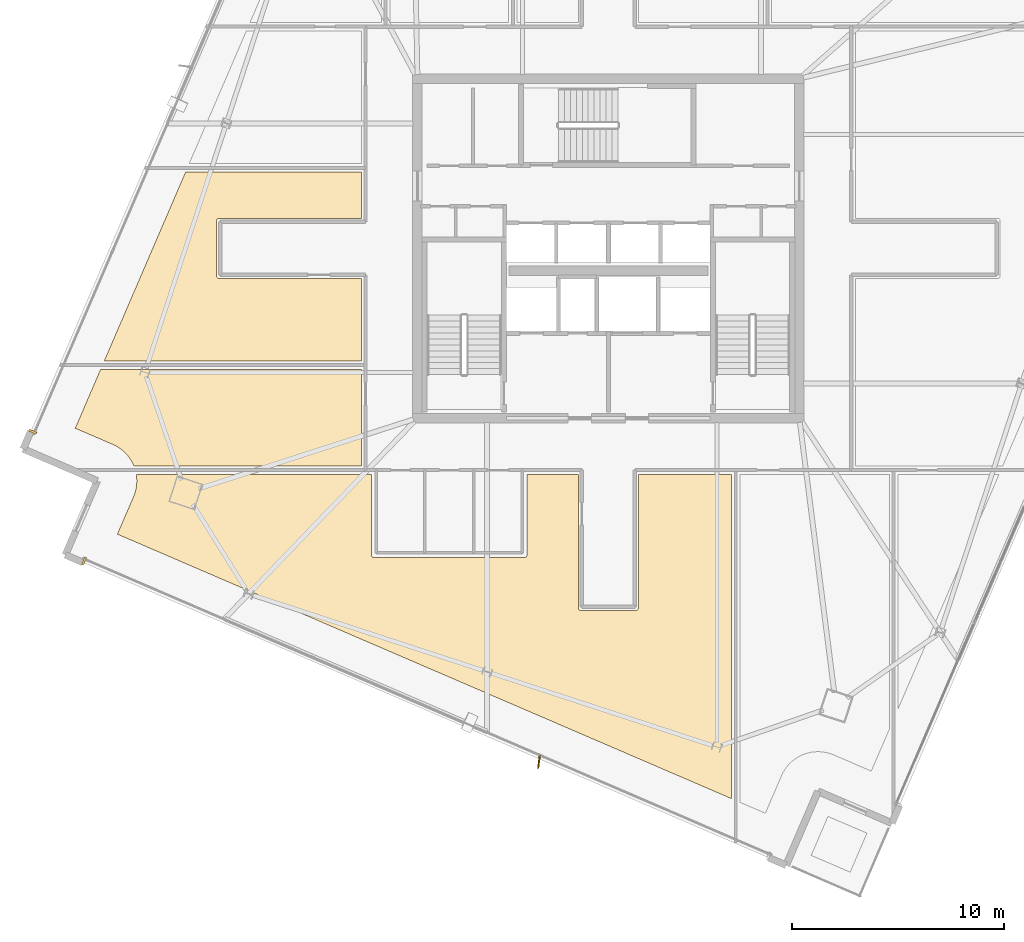
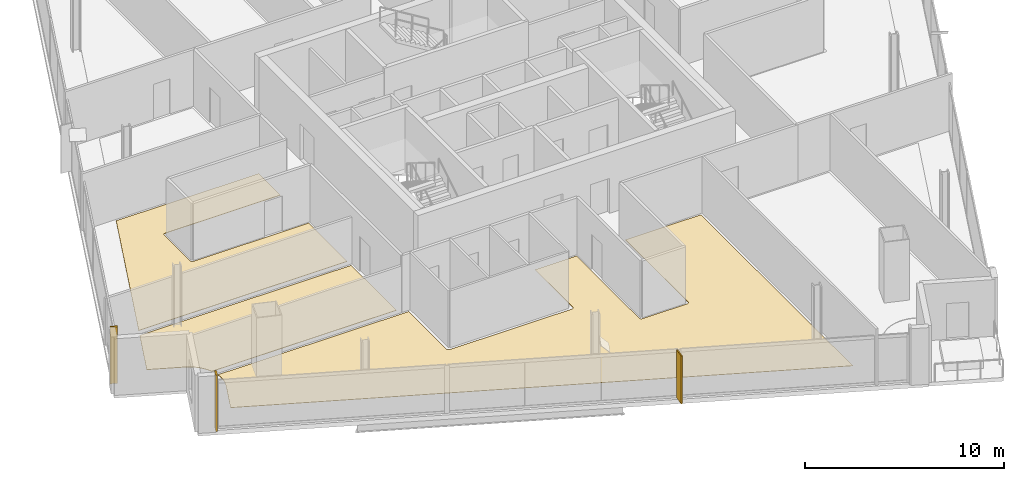
# One storey, part 24 of 28: 5 coverings, 1 shading device.
"""IFC4 building model written with IfcOpenShell, lengths in metres."""

from ifc_helpers import new_model, si_unit, direction, frame, origin, origin_2d, place, context, subcontext, project, spatial, polyline, rectangle, outline, extrude, source, transform, mapped, material, layer, layer_set, type_object, element, save


model = new_model("IFC4")

# Units and contexts
model_context = context("Model", 3, precision=1e-05, world=origin(), true_north=direction((0.0, 1.0)))
body_context = subcontext(model_context, "Body", "Model", "MODEL_VIEW")
ifc_project = project(units=[si_unit("LENGTHUNIT", "METRE"), si_unit("AREAUNIT", "SQUARE_METRE"), si_unit("VOLUMEUNIT", "CUBIC_METRE"), si_unit("PLANEANGLEUNIT", "RADIAN"), si_unit("MASSUNIT", "GRAM", prefix="KILO")], contexts=[model_context])

# Site, building, storey
site_placement = place(None, origin())
site = spatial("IfcSite", under=ifc_project, at=site_placement, CompositionType="ELEMENT")
building_placement = place(site_placement, origin())
building = spatial("IfcBuilding", under=site, at=building_placement, Name="Haldenkirk Collegiate Tower", CompositionType="ELEMENT")
storey_placement = place(building_placement, frame((0.0, 0.0, 252.449951171875)))
storey = spatial("IfcBuildingStorey", under=building, at=storey_placement, Name="L63", CompositionType="ELEMENT", Elevation=252.449951171875)

# Coverings
ifc_material_1 = material(Name="Polished collegiate terrazzo", Category="concrete")
ifc_layer_1 = layer(ifc_material_1, 0.02490234375)
ifc_layer_set_1 = layer_set([ifc_layer_1], Name="Polished collegiate terrazzo")
covering_type_1 = type_object("IfcCoveringType", Name="COV-FLOOR-TERRAZZO", PredefinedType="FLOORING", material=ifc_layer_set_1)
covering_1_placement = place(storey_placement, origin())
element("IfcCovering", 1, at=covering_1_placement, inside=storey, type_object=covering_type_1, Name="L63 academic room finish 08", PredefinedType="FLOORING", context=body_context, shape_type="SweptSolid", body=[
    extrude(outline(polyline([(13.56298828125, 15.892333984375), (13.5576171875, 15.902587890625), (13.47119140625, 16.05126953125), (13.46484375, 16.061279296875), (13.364501953125, 16.20068359375), (13.357177734375, 16.209716796875), (13.24365234375, 16.338623046875), (13.2353515625, 16.34716796875), (13.109619140625, 16.464111328125), (13.1005859375, 16.4716796875), (12.964111328125, 16.575927734375), (12.95458984375, 16.582763671875), (12.80859375, 16.673095703125), (12.798095703125, 16.6787109375), (12.64404296875, 16.754150390625), (12.638671875, 16.756591796875), (10.8662109375, 17.52001953125), (12.063232421875, 20.300048828125), (24.35009765625, 20.300048828125), (24.35009765625, 15.75), (13.627685546875, 15.75), (13.56298828125, 15.892333984375)])), origin(), (0.0, 0.0, 1.0), 0.025146484375),
])
ifc_material_2 = material(Name="Engineered collegiate oak acoustic flooring", Category="wood")
ifc_layer_2 = layer(ifc_material_2, 0.02197265625)
ifc_layer_set_2 = layer_set([ifc_layer_2], Name="Engineered collegiate oak acoustic flooring")
covering_type_2 = type_object("IfcCoveringType", Name="COV-FLOOR-TIMBER", PredefinedType="FLOORING", material=ifc_layer_set_2)
covering_2_placement = place(storey_placement, origin())
element("IfcCovering", 2, at=covering_2_placement, inside=storey, type_object=covering_type_2, Name="L63 academic room finish 01", PredefinedType="FLOORING", context=body_context, shape_type="SweptSolid", body=[
    extrude(outline(polyline([(12.85302734375, 12.52685546875), (13.616455078125, 14.299560546875), (13.61865234375, 14.304931640625), (13.6787109375, 14.4658203125), (13.682373046875, 14.477294921875), (13.726318359375, 14.643310546875), (13.728759765625, 14.654541015625), (13.75634765625, 14.82421875), (13.7578125, 14.8359375), (13.7685546875, 15.00732421875), (13.768798828125, 15.01904296875), (13.7626953125, 15.190673828125), (13.76171875, 15.202392578125), (13.741943359375, 15.35009765625), (24.830078125, 15.35009765625), (24.830078125, 11.550048828125), (24.83056640625, 11.5380859375), (24.832275390625, 11.526611328125), (24.835205078125, 11.51513671875), (24.839111328125, 11.504150390625), (24.84423828125, 11.493408203125), (24.85009765625, 11.4833984375), (24.857177734375, 11.473876953125), (24.864990234375, 11.465087890625), (24.873779296875, 11.457275390625), (24.88330078125, 11.4501953125), (24.893310546875, 11.444091796875), (24.904052734375, 11.439208984375), (24.915283203125, 11.435302734375), (24.926513671875, 11.432373046875), (24.938232421875, 11.4306640625), (24.949951171875, 11.429931640625), (32.050048828125, 11.429931640625), (32.061767578125, 11.4306640625), (32.073486328125, 11.432373046875), (32.084716796875, 11.435302734375), (32.095947265625, 11.439208984375), (32.106689453125, 11.444091796875), (32.11669921875, 11.4501953125), (32.126220703125, 11.457275390625), (32.135009765625, 11.465087890625), (32.142822265625, 11.473876953125), (32.14990234375, 11.4833984375), (32.15576171875, 11.493408203125), (32.160888671875, 11.504150390625), (32.164794921875, 11.51513671875), (32.167724609375, 11.526611328125), (32.16943359375, 11.5380859375), (32.169921875, 11.550048828125), (32.169921875, 15.35009765625), (34.580078125, 15.35009765625), (34.580078125, 9.050048828125), (34.58056640625, 9.0380859375), (34.582275390625, 9.026611328125), (34.585205078125, 9.01513671875), (34.589111328125, 9.004150390625), (34.59423828125, 8.993408203125), (34.60009765625, 8.9833984375), (34.607177734375, 8.973876953125), (34.614990234375, 8.965087890625), (34.623779296875, 8.957275390625), (34.63330078125, 8.9501953125), (34.643310546875, 8.944091796875), (34.654052734375, 8.939208984375), (34.665283203125, 8.935302734375), (34.676513671875, 8.932373046875), (34.688232421875, 8.9306640625), (34.699951171875, 8.929931640625), (37.300048828125, 8.929931640625), (37.311767578125, 8.9306640625), (37.323486328125, 8.932373046875), (37.334716796875, 8.935302734375), (37.345947265625, 8.939208984375), (37.356689453125, 8.944091796875), (37.36669921875, 8.9501953125), (37.376220703125, 8.957275390625), (37.385009765625, 8.965087890625), (37.392822265625, 8.973876953125), (37.39990234375, 8.9833984375), (37.40576171875, 8.993408203125), (37.410888671875, 9.004150390625), (37.414794921875, 9.01513671875), (37.417724609375, 9.026611328125), (37.41943359375, 9.0380859375), (37.419921875, 9.050048828125), (37.419921875, 15.35009765625), (41.800048828125, 15.35009765625), (41.800048828125, 0.060302734375), (12.85302734375, 12.52685546875)])), origin(), (0.0, 0.0, 1.0), 0.02197265625),
])
covering_3_placement = place(storey_placement, origin())
element("IfcCovering", 3, at=covering_3_placement, inside=storey, type_object=covering_type_2, Name="L63 academic room finish 09", PredefinedType="FLOORING", context=body_context, shape_type="SweptSolid", body=[
    extrude(outline(polyline([(16.068603515625, 29.60009765625), (24.35009765625, 29.60009765625), (24.35009765625, 27.419921875), (17.64990234375, 27.419921875), (17.63818359375, 27.41943359375), (17.626708984375, 27.417724609375), (17.615234375, 27.414794921875), (17.60400390625, 27.410888671875), (17.593505859375, 27.40576171875), (17.583251953125, 27.39990234375), (17.573974609375, 27.392822265625), (17.565185546875, 27.385009765625), (17.55712890625, 27.376220703125), (17.55029296875, 27.36669921875), (17.544189453125, 27.356689453125), (17.5390625, 27.345947265625), (17.53515625, 27.334716796875), (17.5322265625, 27.323486328125), (17.530517578125, 27.311767578125), (17.530029296875, 27.300048828125), (17.530029296875, 24.699951171875), (17.530517578125, 24.688232421875), (17.5322265625, 24.676513671875), (17.53515625, 24.665283203125), (17.5390625, 24.654052734375), (17.544189453125, 24.643310546875), (17.55029296875, 24.63330078125), (17.55712890625, 24.623779296875), (17.565185546875, 24.614990234375), (17.573974609375, 24.607177734375), (17.583251953125, 24.60009765625), (17.593505859375, 24.59423828125), (17.60400390625, 24.589111328125), (17.615234375, 24.585205078125), (17.626708984375, 24.582275390625), (17.63818359375, 24.58056640625), (17.64990234375, 24.580078125), (24.35009765625, 24.580078125), (24.35009765625, 20.699951171875), (12.235595703125, 20.699951171875), (16.068603515625, 29.60009765625)])), origin(), (0.0, 0.0, 1.0), 0.02197265625),
])
ifc_material_3 = material(Name="Anodised architectural bronze aluminium", Category="aluminium")
ifc_layer_3 = layer(ifc_material_3, 0.06005859375)
ifc_layer_set_3 = layer_set([ifc_layer_3], Name="Anodised architectural bronze aluminium")
covering_type_3 = type_object("IfcCoveringType", Name="COV-CLAD-BRONZE-60", PredefinedType="CLADDING", material=ifc_layer_set_3)
shared_shape_1 = source(origin(), body_context, "Body", "SweptSolid", [
    extrude(rectangle(XDim=0.10009765625, YDim=0.3798828125, at=origin_2d()), origin(), (0.0, 0.0, 1.0), 3.47998046875),
])
for number, where, z_axis, x_axis, name in (
    (4, (8.859375, 17.36083984375, 0.0), (0.0, 0.0, 1.0), (0.395545502563, 0.918446381343, 0.0), "L63 recessed curtain-wall bronze jamb closure NJL"),
    (5, (11.28564453125, 11.263916015625, 0.0), (0.0, 0.0, 1.0), (-0.918446381343, 0.395545502563, 0.0), "L63 recessed curtain-wall bronze jamb closure WJR"),
):
    element("IfcCovering", number, at=place(storey_placement, frame(where, z_axis=z_axis, x_axis=x_axis)), inside=storey, type_object=covering_type_3, Name=name, PredefinedType="CLADDING", context=body_context, shape_type="MappedRepresentation", body=[
        mapped(shared_shape_1, transform((0.0, 0.0, 0.0), x_axis=(1.0, 0.0, 0.0), y_axis=(0.0, 1.0, 0.0), z_axis=(0.0, 0.0, 1.0), scale=1.0)),
    ])

# Shading device
ifc_layer_4 = layer(ifc_material_3, 0.06494140625)
ifc_layer_set_4 = layer_set([ifc_layer_4], Name="Anodised architectural bronze aluminium")
shading_device_type = type_object("IfcShadingDeviceType", Name="SHD-FIN-BRONZE-620", PredefinedType="USERDEFINED", material=ifc_layer_set_4)
shared_shape_2 = source(origin(), body_context, "Body", "SweptSolid", [
    extrude(rectangle(XDim=0.6201171875, YDim=0.06494140625, at=origin_2d()), origin(), (0.0, 0.0, 1.0), 2.93798828125),
])
shading_device_placement = place(storey_placement, frame((32.72998046875, 1.805419921875, 0.0), z_axis=(0.0, 0.0, 1.0), x_axis=(-0.127064608601, -0.99189444259, 0.0)))
element("IfcShadingDevice", 6, at=shading_device_placement, inside=storey, type_object=shading_device_type, Name="L63 folded bronze solar fin 1", ObjectType="FIN", PredefinedType="USERDEFINED", context=body_context, shape_type="MappedRepresentation", body=[
    mapped(shared_shape_2, transform((0.0, 0.0, 0.0), x_axis=(1.0, 0.0, 0.0), y_axis=(0.0, 1.0, 0.0), z_axis=(0.0, 0.0, 1.0), scale=1.0)),
])

save(model, "model.ifc")
